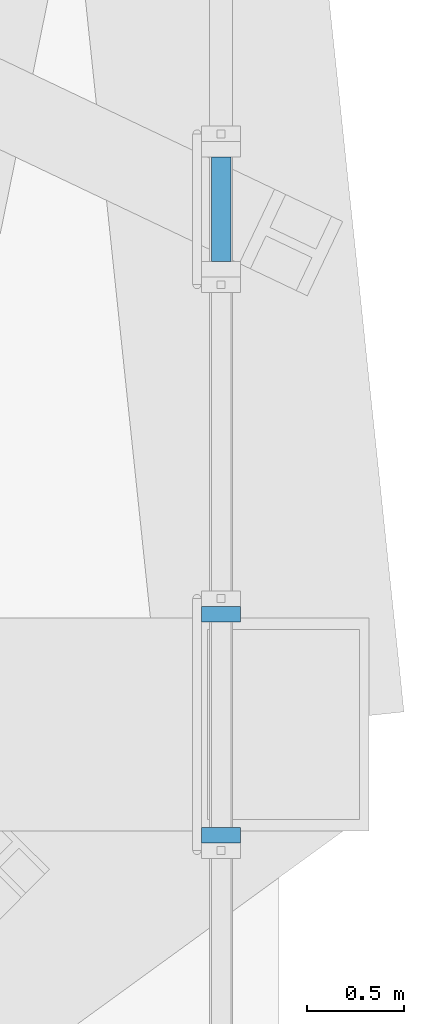
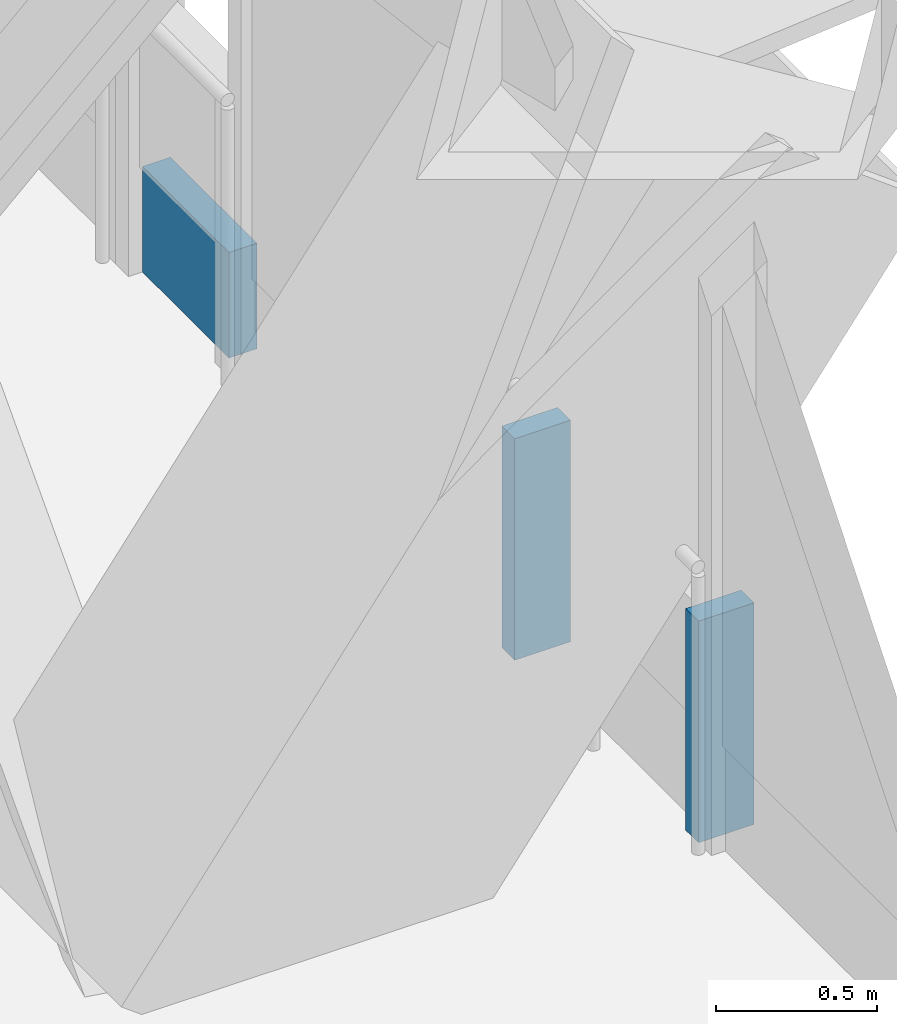
# One storey, part 10 of 23: 3 members, 2 elements without a shape of their own.
"""IFC4 building model written with IfcOpenShell, lengths in metres."""

from ifc_helpers import new_model, si_unit, direction, frame, origin, origin_2d, place, context, subcontext, project, spatial, rectangle, extrude, source, transform, mapped, material, material_profile, profile_set, type_object, element, aggregate, save


model = new_model("IFC4")

# Units and contexts
model_context = context("Model", 3, precision=1e-05, world=origin(), true_north=direction((0.0, 1.0)))
body_context = subcontext(model_context, "Body", "Model", "MODEL_VIEW")
ifc_project = project(units=[si_unit("LENGTHUNIT", "METRE"), si_unit("AREAUNIT", "SQUARE_METRE"), si_unit("VOLUMEUNIT", "CUBIC_METRE"), si_unit("PLANEANGLEUNIT", "RADIAN"), si_unit("MASSUNIT", "GRAM", prefix="KILO")], contexts=[model_context])

# Site, building, storey
site_placement = place(None, origin())
site = spatial("IfcSite", under=ifc_project, at=site_placement, CompositionType="ELEMENT")
building_placement = place(site_placement, origin())
building = spatial("IfcBuilding", under=site, at=building_placement, Name="Triune Harvest Tower", CompositionType="ELEMENT")
storey_placement = place(building_placement, frame((0.0, 0.0, 54.699951171875)))
storey = spatial("IfcBuildingStorey", under=building, at=storey_placement, Name="L12", CompositionType="ELEMENT", Elevation=54.699951171875)

# Curtain wall, members
ifc_material_1 = material(Name="Aluminium bronze anodised", Category="aluminium")
curtain_wall_type = type_object("IfcCurtainWallType", Name="CW-5 Plant louvre wall", PredefinedType="NOTDEFINED", material=ifc_material_1)
curtain_wall_1_placement = place(storey_placement, origin())
curtain_wall_1 = element("IfcCurtainWall", 1, at=curtain_wall_1_placement, inside=storey, type_object=curtain_wall_type, Name="CW-5 B1-F1 L12 run 201")
ifc_material_2 = material(Name="Aluminium bronze anodised", Category="aluminium")
ifc_material_profile_1 = material_profile(ifc_material_2, rectangle(XDim=0.199951171875, YDim=0.080078125, at=origin_2d()), Name="MU-5 mullion 80 x 200")
ifc_profile_set_1 = profile_set([ifc_material_profile_1], Name="Aluminium bronze anodised")
member_type_1 = type_object("IfcMemberType", Name="MU-5 mullion 80 x 200", PredefinedType="MULLION", material=ifc_profile_set_1)
shared_shape_1 = source(origin(), body_context, "Body", "SweptSolid", [
    extrude(rectangle(XDim=0.199951171875, YDim=0.080078125, at=origin_2d()), origin(), (0.0, 0.0, 1.0), 0.839111328125),
])
member_1_placement = place(storey_placement, frame((23.371337890625, -24.209716796875, 0.0), z_axis=(0.0, 0.0, 1.0), x_axis=(-1.0, 0.0, 0.0)))
member_1 = element("IfcMember", 2, at=member_1_placement, type_object=member_type_1, Name="CW-5 mullion B1-F1 201.1", PredefinedType="MULLION", context=body_context, shape_type="MappedRepresentation", body=[
    mapped(shared_shape_1, transform((0.0, 0.0, 0.0), scale=1.0)),
])
member_2_placement = place(storey_placement, frame((23.371337890625, -23.069580078125, 0.0), z_axis=(0.0, 0.0, 1.0), x_axis=(-1.0, 0.0, 0.0)))
member_2 = element("IfcMember", 3, at=member_2_placement, type_object=member_type_1, Name="CW-5 mullion B1-F1 201.2", PredefinedType="MULLION", context=body_context, shape_type="MappedRepresentation", body=[
    mapped(shared_shape_1, transform((0.0, 0.0, 0.0), scale=1.0)),
])
aggregate(curtain_wall_1, [member_1, member_2])

# Curtain wall, member
curtain_wall_2_placement = place(storey_placement, origin())
curtain_wall_2 = element("IfcCurtainWall", 4, at=curtain_wall_2_placement, inside=storey, type_object=curtain_wall_type, Name="CW-5 B1-F1 L12 run 401")
ifc_material_3 = material(Name="Aluminium bronze anodised", Category="aluminium")
ifc_material_profile_2 = material_profile(ifc_material_3, rectangle(XDim=0.10009765625, YDim=0.39990234375, at=origin_2d()), Name="TR-5 transom 100 x 400")
ifc_profile_set_2 = profile_set([ifc_material_profile_2], Name="Aluminium bronze anodised")
member_type_2 = type_object("IfcMemberType", Name="TR-5 transom 100 x 400", PredefinedType="USERDEFINED", material=ifc_profile_set_2)
shared_shape_2 = source(origin(), body_context, "Body", "SweptSolid", [
    extrude(rectangle(XDim=0.10009765625, YDim=0.39990234375, at=origin_2d()), origin(), (0.0, 0.0, 1.0), 0.537841796875),
])
member_3_placement = place(storey_placement, frame((23.371337890625, -21.250732421875, 0.199951171875), z_axis=(0.0, 1.0, 0.0), x_axis=(-1.0, 0.0, 0.0)))
member_3 = element("IfcMember", 5, at=member_3_placement, type_object=member_type_2, Name="CW-5 transom B1-F1 401.1", ObjectType="TRANSOM", PredefinedType="USERDEFINED", context=body_context, shape_type="MappedRepresentation", body=[
    mapped(shared_shape_2, transform((0.0, 0.0, 0.0), scale=1.0)),
])
aggregate(curtain_wall_2, [member_3])

save(model, "model.ifc")
